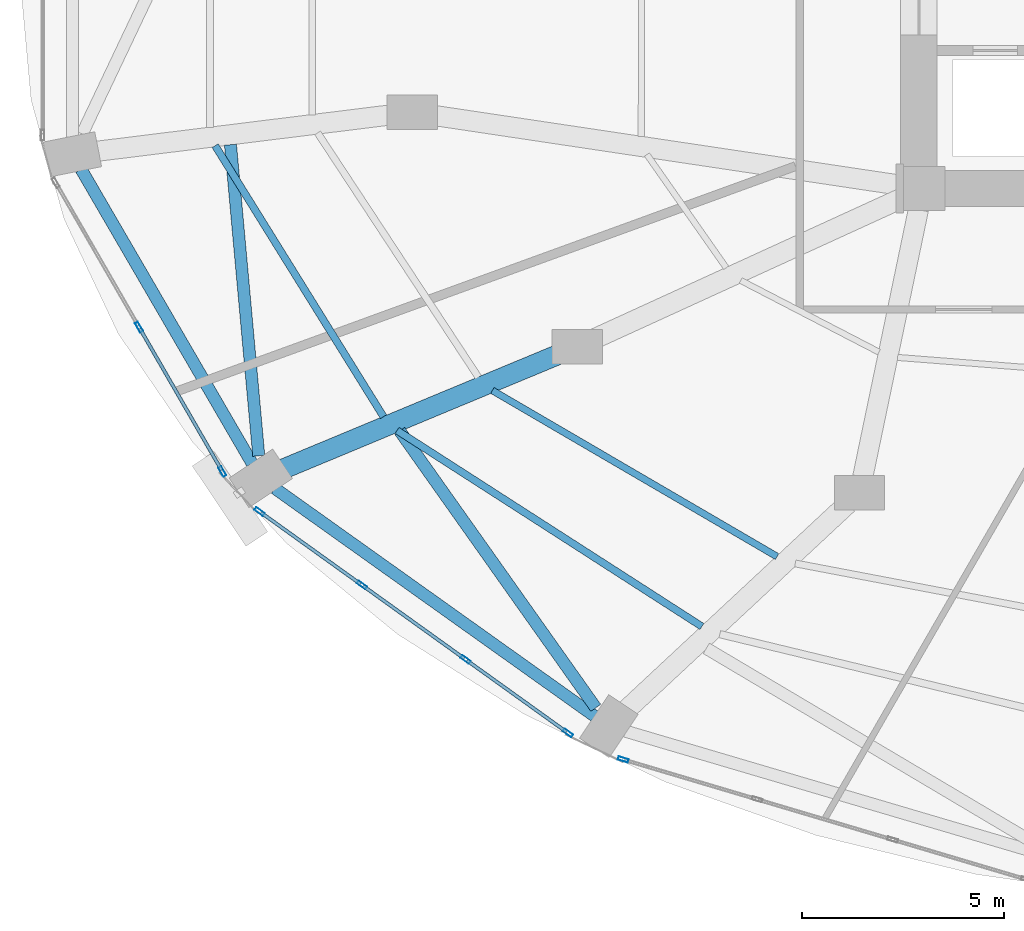
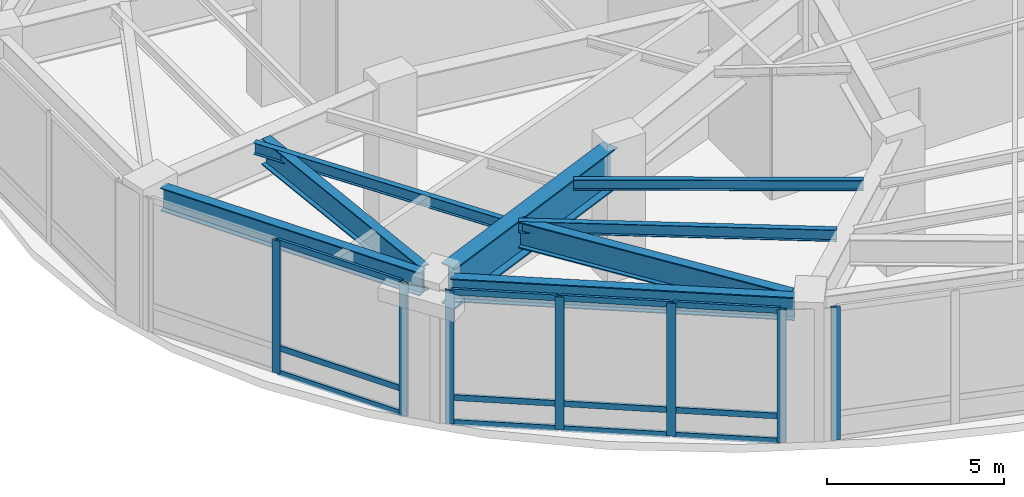
# One storey, part 2 of 24: 19 members, 8 beams, 3 elements without a shape of their own.
"""IFC4 building model written with IfcOpenShell, lengths in metres."""

from ifc_helpers import new_model, si_unit, direction, frame, origin, origin_2d, place, context, subcontext, project, spatial, hollow_rectangle, i_section, extrude, material, layer, layer_set, material_profile, profile_set, type_object, element, aggregate, save


model = new_model("IFC4")

# Units and contexts
model_context = context("Model", 3, precision=1e-05, world=origin(), true_north=direction((0.0, 1.0)))
body_context = subcontext(model_context, "Body", "Model", "MODEL_VIEW")
ifc_project = project(units=[si_unit("LENGTHUNIT", "METRE"), si_unit("AREAUNIT", "SQUARE_METRE"), si_unit("VOLUMEUNIT", "CUBIC_METRE"), si_unit("PLANEANGLEUNIT", "RADIAN"), si_unit("MASSUNIT", "GRAM", prefix="KILO")], contexts=[model_context])

# Site, building, storey
site_placement = place(None, origin())
site = spatial("IfcSite", under=ifc_project, at=site_placement, CompositionType="ELEMENT")
building_placement = place(site_placement, origin())
building = spatial("IfcBuilding", under=site, at=building_placement, Name="Lazwardi Medical Tower", CompositionType="ELEMENT")
storey_placement = place(building_placement, frame((0.0, 0.0, 20.39990234375)))
storey = spatial("IfcBuildingStorey", under=building, at=storey_placement, Name="L04", CompositionType="ELEMENT", Elevation=20.39990234375)

# Beams
ifc_material_1 = material(Name="Steel S460", Category="steel")
ifc_material_profile_1 = material_profile(ifc_material_1, i_section(OverallWidth=0.300048828125, OverallDepth=0.89990234375, WebThickness=0.0185546875, FlangeThickness=0.034912109375, at=origin_2d()), Name="HEB 900")
ifc_profile_set_1 = profile_set([ifc_material_profile_1], Name="Steel S460")
beam_type_1 = type_object("IfcBeamType", Name="BM-HB-01", PredefinedType="BEAM", material=ifc_profile_set_1)
beam_1_placement = place(storey_placement, frame((9.22216796875, 21.48828125, 4.130126953125), z_axis=(0.090581182142, -0.995889074868, 0.0), x_axis=(0.995889074868, 0.090581182142, 0.0)))
element("IfcBeam", 1, at=beam_1_placement, inside=storey, type_object=beam_type_1, Name="Transfer girder tie HB-01 M13 L04", PredefinedType="BEAM", context=body_context, shape_type="SweptSolid", body=[
    extrude(i_section(OverallWidth=0.300048828125, OverallDepth=0.89990234375, WebThickness=0.0185546875, FlangeThickness=0.034912109375, at=origin_2d()), origin(), (0.0, 0.0, 1.0), 7.751708984375),
])
beam_2_placement = place(storey_placement, frame((13.421630859375, 14.385986328125, 4.130126953125), z_axis=(0.57790871745, -0.816101411771, 0.0), x_axis=(0.816101411771, 0.57790871745, 0.0)))
element("IfcBeam", 2, at=beam_2_placement, inside=storey, type_object=beam_type_1, Name="Transfer girder tie HB-01 M14 L04", PredefinedType="BEAM", context=body_context, shape_type="SweptSolid", body=[
    extrude(i_section(OverallWidth=0.300048828125, OverallDepth=0.89990234375, WebThickness=0.0185546875, FlangeThickness=0.034912109375, at=origin_2d()), origin(), (0.0, 0.0, 1.0), 8.419189453125),
])
ifc_material_2 = material(Name="Steel S355", Category="steel")
ifc_material_profile_2 = material_profile(ifc_material_2, i_section(OverallWidth=0.300048828125, OverallDepth=0.800048828125, WebThickness=0.017578125, FlangeThickness=0.032958984375, at=origin_2d()), Name="HEB 800")
ifc_profile_set_2 = profile_set([ifc_material_profile_2], Name="Steel S355")
beam_type_2 = type_object("IfcBeamType", Name="BM-RB-P1", PredefinedType="BEAM", material=ifc_profile_set_2)
beam_3_placement = place(storey_placement, frame((5.517578125, 20.877685546875, 4.18017578125), z_axis=(0.502605874383, -0.864515665003, 0.0), x_axis=(0.864515665003, 0.502605874383, 0.0)))
element("IfcBeam", 3, at=beam_3_placement, inside=storey, type_object=beam_type_2, Name="Ring beam RB-01 B13 L04", PredefinedType="BEAM", context=body_context, shape_type="SweptSolid", body=[
    extrude(i_section(OverallWidth=0.300048828125, OverallDepth=0.800048828125, WebThickness=0.017578125, FlangeThickness=0.032958984375, at=origin_2d()), origin(), (0.0, 0.0, 1.0), 8.4384765625),
])
beam_4_placement = place(storey_placement, frame((10.3251953125, 12.961181640625, 4.18017578125), z_axis=(0.814437186887, -0.580251728663, 0.0), x_axis=(0.580251728663, 0.814437186887, 0.0)))
element("IfcBeam", 4, at=beam_4_placement, inside=storey, type_object=beam_type_2, Name="Ring beam RB-01 B14 L04", PredefinedType="BEAM", context=body_context, shape_type="SweptSolid", body=[
    extrude(i_section(OverallWidth=0.300048828125, OverallDepth=0.800048828125, WebThickness=0.017578125, FlangeThickness=0.032958984375, at=origin_2d()), origin(), (0.0, 0.0, 1.0), 9.743408203125),
])
ifc_material_profile_3 = material_profile(ifc_material_2, i_section(OverallWidth=0.179931640625, OverallDepth=0.39990234375, WebThickness=0.008544921875, FlangeThickness=0.013427734375, at=origin_2d()), Name="IPE 400")
ifc_profile_set_3 = profile_set([ifc_material_profile_3], Name="Steel S355")
beam_type_3 = type_object("IfcBeamType", Name="BM-SJ-01", PredefinedType="JOIST", material=ifc_profile_set_3)
beam_5_placement = place(storey_placement, frame((8.84228515625, 21.4638671875, 4.380126953125), z_axis=(0.527682189899, -0.849441879391, 0.0), x_axis=(0.849441879391, 0.527682189899, 0.0)))
element("IfcBeam", 5, at=beam_5_placement, inside=storey, type_object=beam_type_3, Name="Secondary joist SJ-01 RO1 B13 L04", PredefinedType="JOIST", context=body_context, shape_type="SweptSolid", body=[
    extrude(i_section(OverallWidth=0.179931640625, OverallDepth=0.39990234375, WebThickness=0.008544921875, FlangeThickness=0.013427734375, at=origin_2d()), origin(), (0.0, 0.0, 1.0), 7.916259765625),
])
beam_6_placement = place(storey_placement, frame((13.35498046875, 14.398681640625, 4.380126953125), z_axis=(0.841095557106, -0.540886553555, 0.0), x_axis=(0.540886553555, 0.841095557106, 0.0)))
element("IfcBeam", 6, at=beam_6_placement, inside=storey, type_object=beam_type_3, Name="Secondary joist SJ-01 RO1 B14 L04", PredefinedType="JOIST", context=body_context, shape_type="SweptSolid", body=[
    extrude(i_section(OverallWidth=0.179931640625, OverallDepth=0.39990234375, WebThickness=0.008544921875, FlangeThickness=0.013427734375, at=origin_2d()), origin(), (0.0, 0.0, 1.0), 8.99365234375),
])
ifc_material_profile_4 = material_profile(ifc_material_2, i_section(OverallWidth=0.169921875, OverallDepth=0.360107421875, WebThickness=0.008056640625, FlangeThickness=0.0126953125, at=origin_2d()), Name="IPE 360")
ifc_profile_set_4 = profile_set([ifc_material_profile_4], Name="Steel S355")
beam_type_4 = type_object("IfcBeamType", Name="BM-SJ-02", PredefinedType="JOIST", material=ifc_profile_set_4)
beam_7_placement = place(storey_placement, frame((15.72119140625, 15.389892578125, 4.400146484375), z_axis=(0.863706345156, -0.503995386227, 0.0), x_axis=(0.503995386227, 0.863706345156, 0.0)))
element("IfcBeam", 7, at=beam_7_placement, inside=storey, type_object=beam_type_4, Name="Secondary joist SJ-02 RO2 B14 L04", PredefinedType="JOIST", context=body_context, shape_type="SweptSolid", body=[
    extrude(i_section(OverallWidth=0.169921875, OverallDepth=0.360107421875, WebThickness=0.008056640625, FlangeThickness=0.0126953125, at=origin_2d()), origin(), (0.0, 0.0, 1.0), 8.177734375),
])
ifc_material_profile_5 = material_profile(ifc_material_1, i_section(OverallWidth=0.5, OverallDepth=1.39990234375, WebThickness=0.028076171875, FlangeThickness=0.044921875, at=origin_2d()), Name="PG 1400x500")
ifc_profile_set_5 = profile_set([ifc_material_profile_5], Name="Steel S460")
beam_type_5 = type_object("IfcBeamType", Name="BM-TG-01", PredefinedType="BEAM", material=ifc_profile_set_5)
beam_8_placement = place(storey_placement, frame((10.510498046875, 13.43359375, 3.880126953125), z_axis=(0.923279462658, 0.38412892866, 0.0), x_axis=(-0.38412892866, 0.923279462658, 0.0)))
element("IfcBeam", 8, at=beam_8_placement, inside=storey, type_object=beam_type_5, Name="Transfer girder TG-01 M14A L04", PredefinedType="BEAM", context=body_context, shape_type="SweptSolid", body=[
    extrude(i_section(OverallWidth=0.5, OverallDepth=1.39990234375, WebThickness=0.028076171875, FlangeThickness=0.044921875, at=origin_2d()), origin(), (0.0, 0.0, 1.0), 7.52001953125),
])

# Curtain wall, members
ifc_material_3 = material(Name="Anodised bronze aluminium and solar control glazing", Category="aluminium")
ifc_layer = layer(ifc_material_3, 0.219970703125)
ifc_layer_set = layer_set([ifc_layer], Name="Anodised bronze aluminium and solar control glazing")
curtain_wall_type = type_object("IfcCurtainWallType", Name="CW-SYS-01", PredefinedType="NOTDEFINED", material=ifc_layer_set)
curtain_wall_1_placement = place(storey_placement, origin())
curtain_wall_1 = element("IfcCurtainWall", 9, at=curtain_wall_1_placement, inside=storey, type_object=curtain_wall_type, Name="L04 Unitised bronze curtain wall CW-01", PredefinedType="NOTDEFINED")
ifc_material_4 = material(Name="Anodised bronze aluminium", Category="aluminium")
ifc_material_profile_6 = material_profile(ifc_material_4, hollow_rectangle(XDim=0.0849609375, YDim=0.260009765625, WallThickness=0.0048828125, at=origin_2d()), Name="ALU-MULLION 260x85x5")
ifc_profile_set_6 = profile_set([ifc_material_profile_6], Name="Anodised bronze aluminium")
member_type_1 = type_object("IfcMemberType", Name="CW-MUL-02", PredefinedType="MULLION", material=ifc_profile_set_6)
member_1_placement = place(storey_placement, frame((6.95361328125, 16.9619140625, 0.0), z_axis=(0.0, 0.0, 1.0), x_axis=(0.866180607783, 0.499731082384, 0.0)))
member_1 = element("IfcMember", 10, at=member_1_placement, type_object=member_type_1, Name="CW-01 mullion 2", PredefinedType="MULLION", context=body_context, shape_type="SweptSolid", body=[
    extrude(hollow_rectangle(XDim=0.0849609375, YDim=0.260009765625, WallThickness=0.0048828125, at=origin_2d()), origin(), (0.0, 0.0, 1.0), 4.580078125),
])
member_2_placement = place(storey_placement, frame((9.021240234375, 13.3779296875, 0.0), z_axis=(0.0, 0.0, 1.0), x_axis=(0.866180607783, 0.499731082384, 0.0)))
member_2 = element("IfcMember", 11, at=member_2_placement, type_object=member_type_1, Name="CW-01 mullion 3", PredefinedType="MULLION", context=body_context, shape_type="SweptSolid", body=[
    extrude(hollow_rectangle(XDim=0.0849609375, YDim=0.260009765625, WallThickness=0.0048828125, at=origin_2d()), origin(), (0.0, 0.0, 1.0), 4.580078125),
])

curtain_wall_2_placement = place(storey_placement, origin())
curtain_wall_2 = element("IfcCurtainWall", 12, at=curtain_wall_2_placement, inside=storey, type_object=curtain_wall_type, Name="L04 Unitised bronze curtain wall CW-01", PredefinedType="NOTDEFINED")
member_3_placement = place(storey_placement, frame((9.943359375, 12.385498046875, 0.0), z_axis=(0.0, 0.0, 1.0), x_axis=(0.583214260584, 0.812318365083, 0.0)))
member_3 = element("IfcMember", 13, at=member_3_placement, type_object=member_type_1, Name="CW-01 mullion 1", PredefinedType="MULLION", context=body_context, shape_type="SweptSolid", body=[
    extrude(hollow_rectangle(XDim=0.0849609375, YDim=0.260009765625, WallThickness=0.0048828125, at=origin_2d()), origin(), (0.0, 0.0, 1.0), 4.580078125),
])
member_4_placement = place(storey_placement, frame((12.482177734375, 10.562744140625, 0.0), z_axis=(0.0, 0.0, 1.0), x_axis=(0.583214260584, 0.812318365083, 0.0)))
member_4 = element("IfcMember", 14, at=member_4_placement, type_object=member_type_1, Name="CW-01 mullion 2", PredefinedType="MULLION", context=body_context, shape_type="SweptSolid", body=[
    extrude(hollow_rectangle(XDim=0.0849609375, YDim=0.260009765625, WallThickness=0.0048828125, at=origin_2d()), origin(), (0.0, 0.0, 1.0), 4.580078125),
])
member_5_placement = place(storey_placement, frame((15.055419921875, 8.71533203125, 0.0), z_axis=(0.0, 0.0, 1.0), x_axis=(0.583214260584, 0.812318365083, 0.0)))
member_5 = element("IfcMember", 15, at=member_5_placement, type_object=member_type_1, Name="CW-01 mullion 3", PredefinedType="MULLION", context=body_context, shape_type="SweptSolid", body=[
    extrude(hollow_rectangle(XDim=0.0849609375, YDim=0.260009765625, WallThickness=0.0048828125, at=origin_2d()), origin(), (0.0, 0.0, 1.0), 4.580078125),
])
member_6_placement = place(storey_placement, frame((17.59423828125, 6.892578125, 0.0), z_axis=(0.0, 0.0, 1.0), x_axis=(0.583214260584, 0.812318365083, 0.0)))
member_6 = element("IfcMember", 16, at=member_6_placement, type_object=member_type_1, Name="CW-01 mullion 4", PredefinedType="MULLION", context=body_context, shape_type="SweptSolid", body=[
    extrude(hollow_rectangle(XDim=0.0849609375, YDim=0.260009765625, WallThickness=0.0048828125, at=origin_2d()), origin(), (0.0, 0.0, 1.0), 4.580078125),
])

# Curtain wall, member
curtain_wall_3_placement = place(storey_placement, origin())
curtain_wall_3 = element("IfcCurtainWall", 17, at=curtain_wall_3_placement, inside=storey, type_object=curtain_wall_type, Name="L04 Unitised bronze curtain wall CW-01", PredefinedType="NOTDEFINED")
member_7_placement = place(storey_placement, frame((18.966064453125, 6.233642578125, 0.0), z_axis=(0.0, 0.0, 1.0), x_axis=(0.285047195531, 0.958513482597, 0.0)))
member_7 = element("IfcMember", 18, at=member_7_placement, type_object=member_type_1, Name="CW-01 mullion 1", PredefinedType="MULLION", context=body_context, shape_type="SweptSolid", body=[
    extrude(hollow_rectangle(XDim=0.0849609375, YDim=0.260009765625, WallThickness=0.0048828125, at=origin_2d()), origin(), (0.0, 0.0, 1.0), 4.580078125),
])
aggregate(curtain_wall_3, [member_7])

# Member
ifc_material_profile_7 = material_profile(ifc_material_4, hollow_rectangle(XDim=0.0849609375, YDim=0.199951171875, WallThickness=0.00439453125, at=origin_2d()), Name="ALU-TRANSOM 200x85x4.5")
ifc_profile_set_7 = profile_set([ifc_material_profile_7], Name="Anodised bronze aluminium")
member_type_2 = type_object("IfcMemberType", Name="CW-TRN-02", PredefinedType="USERDEFINED", material=ifc_profile_set_7)
member_8_placement = place(storey_placement, frame((6.974853515625, 16.925048828125, 0.04248046875), z_axis=(0.499767651026, -0.866159508975, 0.0), x_axis=(0.866159508975, 0.499767651026, 0.0)))
member_8 = element("IfcMember", 19, at=member_8_placement, type_object=member_type_2, Name="CW-01 transom 2.1", ObjectType="TRANSOM", PredefinedType="USERDEFINED", context=body_context, shape_type="SweptSolid", body=[
    extrude(hollow_rectangle(XDim=0.0849609375, YDim=0.199951171875, WallThickness=0.00439453125, at=origin_2d()), origin(), (0.0, 0.0, 1.0), 4.052734375),
])

member_9_placement = place(storey_placement, frame((6.974853515625, 16.925048828125, 0.900146484375), z_axis=(0.499767651026, -0.866159508975, 0.0), x_axis=(0.866159508975, 0.499767651026, 0.0)))
member_9 = element("IfcMember", 20, at=member_9_placement, type_object=member_type_2, Name="CW-01 transom 2.2", ObjectType="TRANSOM", PredefinedType="USERDEFINED", context=body_context, shape_type="SweptSolid", body=[
    extrude(hollow_rectangle(XDim=0.0849609375, YDim=0.199951171875, WallThickness=0.00439453125, at=origin_2d()), origin(), (0.0, 0.0, 1.0), 4.052734375),
])

member_10_placement = place(storey_placement, frame((6.974853515625, 16.925048828125, 4.53759765625), z_axis=(0.499767651026, -0.866159508975, 0.0), x_axis=(0.866159508975, 0.499767651026, 0.0)))
member_10 = element("IfcMember", 21, at=member_10_placement, type_object=member_type_2, Name="CW-01 transom 2.3", ObjectType="TRANSOM", PredefinedType="USERDEFINED", context=body_context, shape_type="SweptSolid", body=[
    extrude(hollow_rectangle(XDim=0.0849609375, YDim=0.199951171875, WallThickness=0.00439453125, at=origin_2d()), origin(), (0.0, 0.0, 1.0), 4.052734375),
])

aggregate(curtain_wall_1, [member_1, member_2, member_8, member_9, member_10])

member_11_placement = place(storey_placement, frame((9.97802734375, 12.36083984375, 0.04248046875), z_axis=(0.812314954496, -0.583219010924, 0.0), x_axis=(0.583219010924, 0.812314954496, 0.0)))
member_11 = element("IfcMember", 22, at=member_11_placement, type_object=member_type_2, Name="CW-01 transom 1.1", ObjectType="TRANSOM", PredefinedType="USERDEFINED", context=body_context, shape_type="SweptSolid", body=[
    extrude(hollow_rectangle(XDim=0.0849609375, YDim=0.199951171875, WallThickness=0.00439453125, at=origin_2d()), origin(), (0.0, 0.0, 1.0), 3.040283203125),
])

member_12_placement = place(storey_placement, frame((9.97802734375, 12.36083984375, 0.900146484375), z_axis=(0.812314954496, -0.583219010924, 0.0), x_axis=(0.583219010924, 0.812314954496, 0.0)))
member_12 = element("IfcMember", 23, at=member_12_placement, type_object=member_type_2, Name="CW-01 transom 1.2", ObjectType="TRANSOM", PredefinedType="USERDEFINED", context=body_context, shape_type="SweptSolid", body=[
    extrude(hollow_rectangle(XDim=0.0849609375, YDim=0.199951171875, WallThickness=0.00439453125, at=origin_2d()), origin(), (0.0, 0.0, 1.0), 3.040283203125),
])

member_13_placement = place(storey_placement, frame((9.97802734375, 12.36083984375, 4.53759765625), z_axis=(0.812314954496, -0.583219010924, 0.0), x_axis=(0.583219010924, 0.812314954496, 0.0)))
member_13 = element("IfcMember", 24, at=member_13_placement, type_object=member_type_2, Name="CW-01 transom 1.3", ObjectType="TRANSOM", PredefinedType="USERDEFINED", context=body_context, shape_type="SweptSolid", body=[
    extrude(hollow_rectangle(XDim=0.0849609375, YDim=0.199951171875, WallThickness=0.00439453125, at=origin_2d()), origin(), (0.0, 0.0, 1.0), 3.040283203125),
])

member_14_placement = place(storey_placement, frame((12.5166015625, 10.5380859375, 0.04248046875), z_axis=(0.81231315212, -0.583221521287, 0.0), x_axis=(0.583221521287, 0.81231315212, 0.0)))
member_14 = element("IfcMember", 25, at=member_14_placement, type_object=member_type_2, Name="CW-01 transom 2.1", ObjectType="TRANSOM", PredefinedType="USERDEFINED", context=body_context, shape_type="SweptSolid", body=[
    extrude(hollow_rectangle(XDim=0.0849609375, YDim=0.199951171875, WallThickness=0.00439453125, at=origin_2d()), origin(), (0.0, 0.0, 1.0), 3.0830078125),
])

member_15_placement = place(storey_placement, frame((12.5166015625, 10.5380859375, 0.900146484375), z_axis=(0.81231315212, -0.583221521287, 0.0), x_axis=(0.583221521287, 0.81231315212, 0.0)))
member_15 = element("IfcMember", 26, at=member_15_placement, type_object=member_type_2, Name="CW-01 transom 2.2", ObjectType="TRANSOM", PredefinedType="USERDEFINED", context=body_context, shape_type="SweptSolid", body=[
    extrude(hollow_rectangle(XDim=0.0849609375, YDim=0.199951171875, WallThickness=0.00439453125, at=origin_2d()), origin(), (0.0, 0.0, 1.0), 3.0830078125),
])

member_16_placement = place(storey_placement, frame((12.5166015625, 10.5380859375, 4.53759765625), z_axis=(0.81231315212, -0.583221521287, 0.0), x_axis=(0.583221521287, 0.81231315212, 0.0)))
member_16 = element("IfcMember", 27, at=member_16_placement, type_object=member_type_2, Name="CW-01 transom 2.3", ObjectType="TRANSOM", PredefinedType="USERDEFINED", context=body_context, shape_type="SweptSolid", body=[
    extrude(hollow_rectangle(XDim=0.0849609375, YDim=0.199951171875, WallThickness=0.00439453125, at=origin_2d()), origin(), (0.0, 0.0, 1.0), 3.0830078125),
])

member_17_placement = place(storey_placement, frame((15.090087890625, 8.6904296875, 0.04248046875), z_axis=(0.812314954496, -0.583219010924, 0.0), x_axis=(0.583219010924, 0.812314954496, 0.0)))
member_17 = element("IfcMember", 28, at=member_17_placement, type_object=member_type_2, Name="CW-01 transom 3.1", ObjectType="TRANSOM", PredefinedType="USERDEFINED", context=body_context, shape_type="SweptSolid", body=[
    extrude(hollow_rectangle(XDim=0.0849609375, YDim=0.199951171875, WallThickness=0.00439453125, at=origin_2d()), origin(), (0.0, 0.0, 1.0), 3.040283203125),
])

member_18_placement = place(storey_placement, frame((15.090087890625, 8.6904296875, 0.900146484375), z_axis=(0.812314954496, -0.583219010924, 0.0), x_axis=(0.583219010924, 0.812314954496, 0.0)))
member_18 = element("IfcMember", 29, at=member_18_placement, type_object=member_type_2, Name="CW-01 transom 3.2", ObjectType="TRANSOM", PredefinedType="USERDEFINED", context=body_context, shape_type="SweptSolid", body=[
    extrude(hollow_rectangle(XDim=0.0849609375, YDim=0.199951171875, WallThickness=0.00439453125, at=origin_2d()), origin(), (0.0, 0.0, 1.0), 3.040283203125),
])

member_19_placement = place(storey_placement, frame((15.090087890625, 8.6904296875, 4.53759765625), z_axis=(0.812314954496, -0.583219010924, 0.0), x_axis=(0.583219010924, 0.812314954496, 0.0)))
member_19 = element("IfcMember", 30, at=member_19_placement, type_object=member_type_2, Name="CW-01 transom 3.3", ObjectType="TRANSOM", PredefinedType="USERDEFINED", context=body_context, shape_type="SweptSolid", body=[
    extrude(hollow_rectangle(XDim=0.0849609375, YDim=0.199951171875, WallThickness=0.00439453125, at=origin_2d()), origin(), (0.0, 0.0, 1.0), 3.040283203125),
])

aggregate(curtain_wall_2, [member_3, member_4, member_5, member_6, member_11, member_12, member_13, member_14, member_15, member_16, member_17, member_18, member_19])

save(model, "model.ifc")
